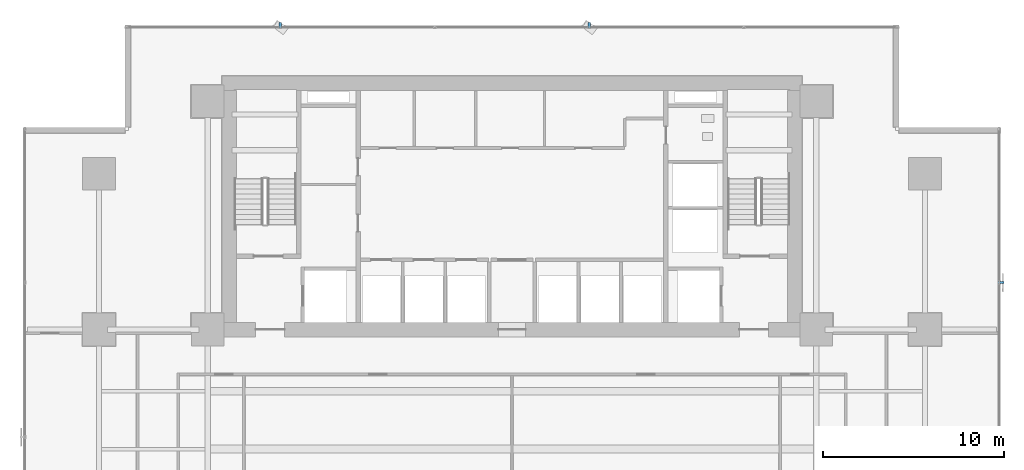
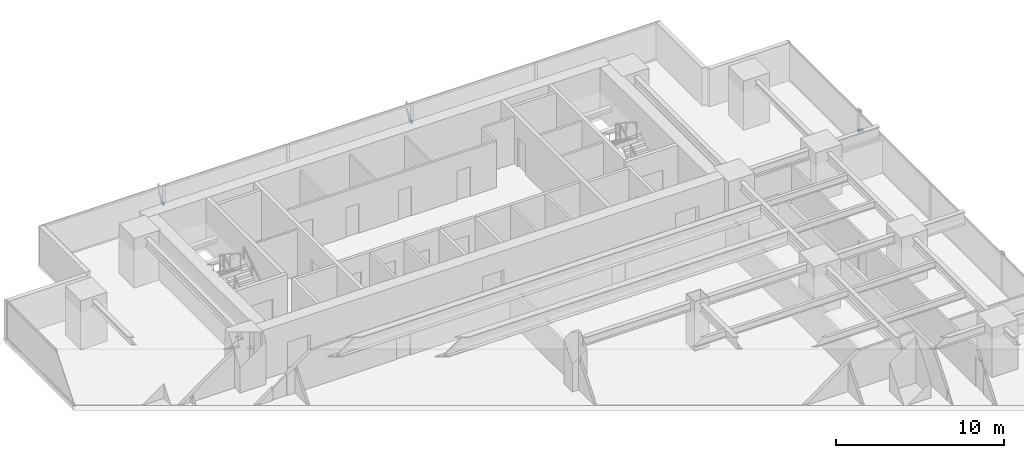
# One storey, part 29 of 34: 3 discrete accessories.
"""IFC4 building model written with IfcOpenShell, lengths in metres."""

from ifc_helpers import new_model, si_unit, direction, frame, origin, origin_2d, place, context, subcontext, project, spatial, rectangle, extrude, source, transform, mapped, material, material_profile, profile_set, type_object, element, save


model = new_model("IFC4")

# Units and contexts
model_context = context("Model", 3, precision=1e-05, world=origin(), true_north=direction((0.0, 1.0)))
body_context = subcontext(model_context, "Body", "Model", "MODEL_VIEW")
ifc_project = project(units=[si_unit("LENGTHUNIT", "METRE"), si_unit("AREAUNIT", "SQUARE_METRE"), si_unit("VOLUMEUNIT", "CUBIC_METRE"), si_unit("PLANEANGLEUNIT", "RADIAN"), si_unit("MASSUNIT", "GRAM", prefix="KILO")], contexts=[model_context])

# Site, building, storey
site_placement = place(None, origin())
site = spatial("IfcSite", under=ifc_project, at=site_placement, CompositionType="ELEMENT")
building_placement = place(site_placement, origin())
building = spatial("IfcBuilding", under=site, at=building_placement, Name="Sumidabori Civic Tower", CompositionType="ELEMENT")
storey_placement = place(building_placement, frame((0.0, 0.0, 41.60009765625)))
storey = spatial("IfcBuildingStorey", under=building, at=storey_placement, Name="L10", CompositionType="ELEMENT", Elevation=41.60009765625)

# Discrete accessories
ifc_material = material(Name="Stainless Steel Hairline Finish", Category="steel")
ifc_material_profile = material_profile(ifc_material, rectangle(XDim=0.1201171875, YDim=0.179931640625, at=origin_2d()), Name="STEEL BRACKET 180x120")
ifc_profile_set = profile_set([ifc_material_profile], Name="Stainless Steel Hairline Finish")
discrete_accessory_type = type_object("IfcDiscreteAccessoryType", Name="AC-BRK-180", PredefinedType="BRACKET", material=ifc_profile_set)
shared_shape = source(origin(), body_context, "Body", "SweptSolid", [
    extrude(rectangle(XDim=0.1201171875, YDim=0.179931640625, at=origin_2d()), origin(), (0.0, 0.0, 1.0), 0.329833984375),
])
for number, where, z_axis, x_axis, name in (
    (1, (26.830078125, 12.7919921875, 1.35986328125), (1.0, 0.0, 0.0), (0.0, 1.0, 0.0), "Bronze Fin Fixing Bracket L10-04"),
    (2, (4.263916015625, 26.830078125, 1.35986328125), (0.0, 1.0, 0.0), (-1.0, 0.0, 0.0), "Bronze Fin Fixing Bracket L10-02"),
    (3, (-12.7919921875, 26.830078125, 1.35986328125), (0.0, 1.0, 0.0), (-1.0, 0.0, 0.0), "Bronze Fin Fixing Bracket L10-04"),
):
    element("IfcDiscreteAccessory", number, at=place(storey_placement, frame(where, z_axis=z_axis, x_axis=x_axis)), inside=storey, type_object=discrete_accessory_type, Name=name, PredefinedType="BRACKET", context=body_context, shape_type="MappedRepresentation", body=[
        mapped(shared_shape, transform((0.0, 0.0, 0.0), x_axis=(1.0, 0.0, 0.0), y_axis=(0.0, 1.0, 0.0), z_axis=(0.0, 0.0, 1.0), scale=1.0)),
    ])

save(model, "model.ifc")
